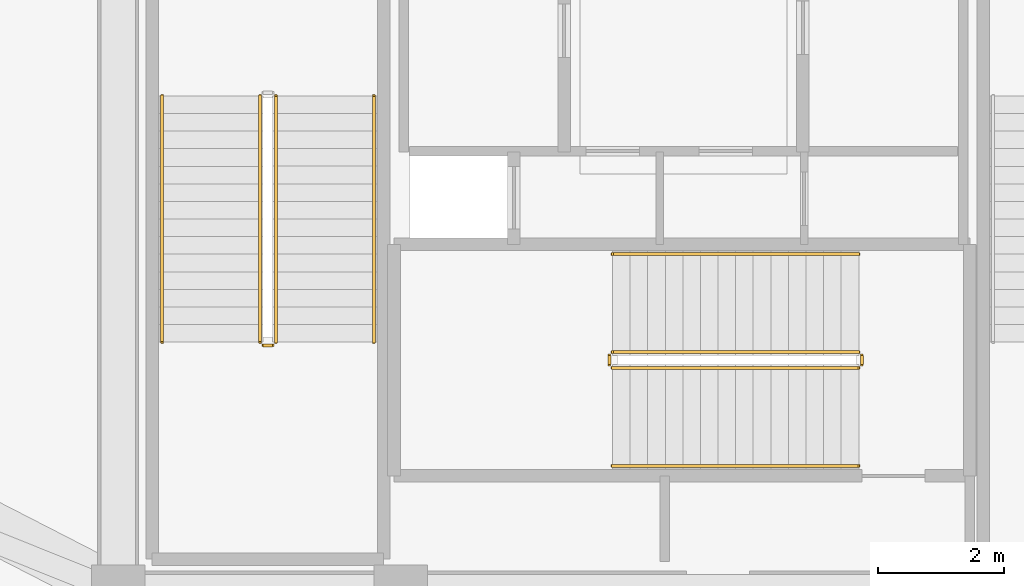
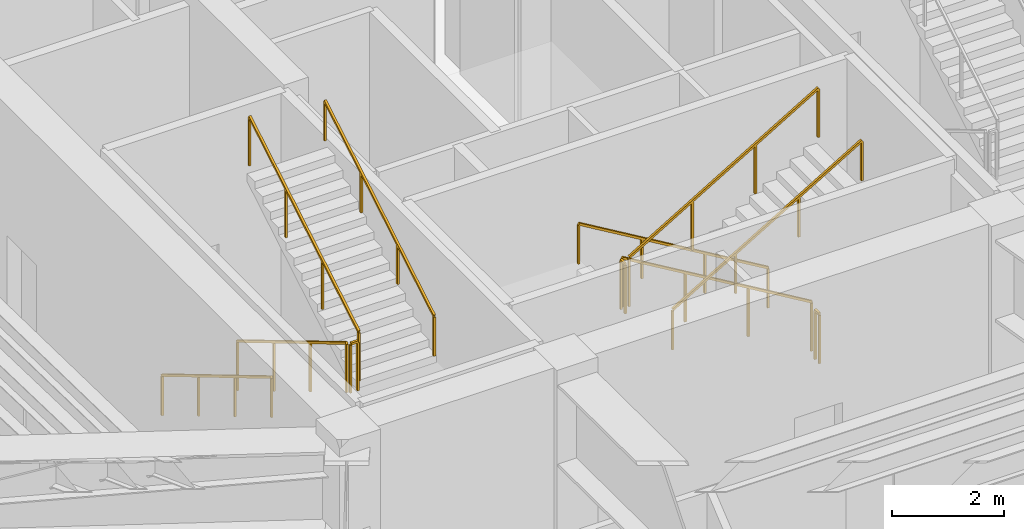
# One storey, part 20 of 24: 11 railings.
"""IFC4 building model written with IfcOpenShell, lengths in metres."""

from ifc_helpers import new_model, si_unit, direction, frame, origin, origin_2d, place, context, subcontext, project, spatial, rectangle, extrude, material, layer, layer_set, type_object, element, save


model = new_model("IFC4")

# Units and contexts
model_context = context("Model", 3, precision=1e-05, world=origin(), true_north=direction((0.0, 1.0)))
body_context = subcontext(model_context, "Body", "Model", "MODEL_VIEW")
ifc_project = project(units=[si_unit("LENGTHUNIT", "METRE"), si_unit("AREAUNIT", "SQUARE_METRE"), si_unit("VOLUMEUNIT", "CUBIC_METRE"), si_unit("PLANEANGLEUNIT", "RADIAN"), si_unit("MASSUNIT", "GRAM", prefix="KILO")], contexts=[model_context])

# Site, building, storey
site_placement = place(None, origin())
site = spatial("IfcSite", under=ifc_project, at=site_placement, CompositionType="ELEMENT")
building_placement = place(site_placement, origin())
building = spatial("IfcBuilding", under=site, at=building_placement, Name="Kilnhurst Terrace Hotel", CompositionType="ELEMENT")
storey_placement = place(building_placement, frame((0.0, 0.0, 305.39990234375)))
storey = spatial("IfcBuildingStorey", under=building, at=storey_placement, Name="L76", CompositionType="ELEMENT", Elevation=305.39990234375)

# Railings
ifc_material_1 = material(Name="Powder-Coated Steel ASTM A500 Grade B", Category="steel")
ifc_layer_1 = layer(ifc_material_1, 0.050048828125, Name="Powder-Coated Steel ASTM A500 Grade B")
ifc_layer_set_1 = layer_set([ifc_layer_1], Name="Powder-Coated Steel ASTM A500 Grade B")
railing_type_1 = type_object("IfcRailingType", Name="RLG-ST-GRD-1100", PredefinedType="GUARDRAIL", material=ifc_layer_set_1)
railing_1_placement = place(storey_placement, frame((-6.739990234375, 0.389892578125, 0.166748046875)))
element("IfcRailing", 1, at=railing_1_placement, inside=storey, type_object=railing_type_1, Name="L76 ST-1 stair guard 1", PredefinedType="GUARDRAIL", context=body_context, shape_type="SweptSolid", body=[
    extrude(rectangle(XDim=0.048095703125, YDim=0.048095703125, at=origin_2d()), frame((0.0, 0.0, 1.076171875), z_axis=(0.0, -0.859296244711, 0.511478214419), x_axis=(1.0, 0.0, 0.0)), (0.0, 0.0, 1.0), 4.561767578125),
    extrude(rectangle(XDim=0.0419921875, YDim=0.0419921875, at=origin_2d()), origin(), (0.0, 0.0, 1.0), 1.052001953125),
    extrude(rectangle(XDim=0.0419921875, YDim=0.0419921875, at=origin_2d()), frame((0.0, -1.306640625, 0.77783203125)), (0.0, 0.0, 1.0), 1.052001953125),
    extrude(rectangle(XDim=0.0419921875, YDim=0.0419921875, at=origin_2d()), frame((0.0, -2.61328125, 1.555419921875)), (0.0, 0.0, 1.0), 1.052001953125),
    extrude(rectangle(XDim=0.0419921875, YDim=0.0419921875, at=origin_2d()), frame((0.0, -3.919921875, 2.333251953125)), (0.0, 0.0, 1.0), 1.052001953125),
])
railing_2_placement = place(storey_placement, frame((-6.68994140625, -3.580078125, 2.5)))
element("IfcRailing", 2, at=railing_2_placement, inside=storey, type_object=railing_type_1, Name="L76 ST-1 stair guard 2", PredefinedType="GUARDRAIL", context=body_context, shape_type="SweptSolid", body=[
    extrude(rectangle(XDim=0.048095703125, YDim=0.048095703125, at=origin_2d()), frame((0.0, 0.0, 1.076171875), z_axis=(1.0, 0.0, 0.0), x_axis=(0.0, 1.0, 0.0)), (0.0, 0.0, 1.0), 0.14990234375),
    extrude(rectangle(XDim=0.0419921875, YDim=0.0419921875, at=origin_2d()), origin(), (0.0, 0.0, 1.0), 1.052001953125),
    extrude(rectangle(XDim=0.0419921875, YDim=0.0419921875, at=origin_2d()), frame((0.14990234375, 0.0, 0.0)), (0.0, 0.0, 1.0), 1.052001953125),
])
railing_3_placement = place(storey_placement, frame((-6.489990234375, -3.530029296875, 2.666748046875)))
element("IfcRailing", 3, at=railing_3_placement, inside=storey, type_object=railing_type_1, Name="L76 ST-1 stair guard 3", PredefinedType="GUARDRAIL", context=body_context, shape_type="SweptSolid", body=[
    extrude(rectangle(XDim=0.048095703125, YDim=0.048095703125, at=origin_2d()), frame((0.0, 0.0, 1.076171875), z_axis=(0.0, 0.859296244711, 0.511478214419), x_axis=(-1.0, 0.0, 0.0)), (0.0, 0.0, 1.0), 4.561767578125),
    extrude(rectangle(XDim=0.0419921875, YDim=0.0419921875, at=origin_2d()), origin(), (0.0, 0.0, 1.0), 1.052001953125),
    extrude(rectangle(XDim=0.0419921875, YDim=0.0419921875, at=origin_2d()), frame((0.0, 1.306640625, 0.77783203125)), (0.0, 0.0, 1.0), 1.052001953125),
    extrude(rectangle(XDim=0.0419921875, YDim=0.0419921875, at=origin_2d()), frame((0.0, 2.61328125, 1.555419921875)), (0.0, 0.0, 1.0), 1.052001953125),
    extrude(rectangle(XDim=0.0419921875, YDim=0.0419921875, at=origin_2d()), frame((0.0, 3.919921875, 2.333251953125)), (0.0, 0.0, 1.0), 1.052001953125),
])
railing_4_placement = place(storey_placement, frame((2.7900390625, -3.68994140625, 0.166748046875)))
element("IfcRailing", 4, at=railing_4_placement, inside=storey, type_object=railing_type_1, Name="L76 ST-3 stair guard 1", PredefinedType="GUARDRAIL", context=body_context, shape_type="SweptSolid", body=[
    extrude(rectangle(XDim=0.048095703125, YDim=0.048095703125, at=origin_2d()), frame((0.0, 0.0, 1.076171875), z_axis=(-0.859296244711, 0.0, 0.511478214419), x_axis=(0.0, -1.0, 0.0)), (0.0, 0.0, 1.0), 4.561767578125),
    extrude(rectangle(XDim=0.0419921875, YDim=0.0419921875, at=origin_2d()), origin(), (0.0, 0.0, 1.0), 1.052001953125),
    extrude(rectangle(XDim=0.0419921875, YDim=0.0419921875, at=origin_2d()), frame((-1.306640625, 0.0, 0.77783203125)), (0.0, 0.0, 1.0), 1.052001953125),
    extrude(rectangle(XDim=0.0419921875, YDim=0.0419921875, at=origin_2d()), frame((-2.61328125, 0.0, 1.555419921875)), (0.0, 0.0, 1.0), 1.052001953125),
    extrude(rectangle(XDim=0.0419921875, YDim=0.0419921875, at=origin_2d()), frame((-3.919921875, 0.0, 2.333251953125)), (0.0, 0.0, 1.0), 1.052001953125),
])
railing_5_placement = place(storey_placement, frame((-1.179931640625, -3.739990234375, 2.5)))
element("IfcRailing", 5, at=railing_5_placement, inside=storey, type_object=railing_type_1, Name="L76 ST-3 stair guard 2", PredefinedType="GUARDRAIL", context=body_context, shape_type="SweptSolid", body=[
    extrude(rectangle(XDim=0.048095703125, YDim=0.048095703125, at=origin_2d()), frame((0.0, 0.0, 1.076171875), z_axis=(0.0, -1.0, 0.0), x_axis=(1.0, 0.0, 0.0)), (0.0, 0.0, 1.0), 0.14990234375),
    extrude(rectangle(XDim=0.0419921875, YDim=0.0419921875, at=origin_2d()), origin(), (0.0, 0.0, 1.0), 1.052001953125),
    extrude(rectangle(XDim=0.0419921875, YDim=0.0419921875, at=origin_2d()), frame((0.0, -0.14990234375, 0.0)), (0.0, 0.0, 1.0), 1.052001953125),
])
railing_6_placement = place(storey_placement, frame((-1.1298828125, -3.93994140625, 2.666748046875)))
element("IfcRailing", 6, at=railing_6_placement, inside=storey, type_object=railing_type_1, Name="L76 ST-3 stair guard 3", PredefinedType="GUARDRAIL", context=body_context, shape_type="SweptSolid", body=[
    extrude(rectangle(XDim=0.048095703125, YDim=0.048095703125, at=origin_2d()), frame((0.0, 0.0, 1.076171875), z_axis=(0.859296244711, 0.0, 0.511478214419), x_axis=(0.0, 1.0, 0.0)), (0.0, 0.0, 1.0), 4.561767578125),
    extrude(rectangle(XDim=0.0419921875, YDim=0.0419921875, at=origin_2d()), origin(), (0.0, 0.0, 1.0), 1.052001953125),
    extrude(rectangle(XDim=0.0419921875, YDim=0.0419921875, at=origin_2d()), frame((1.306640625, 0.0, 0.77783203125)), (0.0, 0.0, 1.0), 1.052001953125),
    extrude(rectangle(XDim=0.0419921875, YDim=0.0419921875, at=origin_2d()), frame((2.61328125, 0.0, 1.555419921875)), (0.0, 0.0, 1.0), 1.052001953125),
    extrude(rectangle(XDim=0.0419921875, YDim=0.0419921875, at=origin_2d()), frame((3.919921875, 0.0, 2.333251953125)), (0.0, 0.0, 1.0), 1.052001953125),
])
railing_7_placement = place(storey_placement, frame((2.840087890625, -3.739990234375, 0.0)))
element("IfcRailing", 7, at=railing_7_placement, inside=storey, type_object=railing_type_1, Name="L76 ST-3 stair guard 4", PredefinedType="GUARDRAIL", context=body_context, shape_type="SweptSolid", body=[
    extrude(rectangle(XDim=0.048095703125, YDim=0.048095703125, at=origin_2d()), frame((0.0, 0.0, 1.076171875), z_axis=(0.0, -1.0, 0.0), x_axis=(1.0, 0.0, 0.0)), (0.0, 0.0, 1.0), 0.14990234375),
    extrude(rectangle(XDim=0.0419921875, YDim=0.0419921875, at=origin_2d()), origin(), (0.0, 0.0, 1.0), 1.052001953125),
    extrude(rectangle(XDim=0.0419921875, YDim=0.0419921875, at=origin_2d()), frame((0.0, -0.14990234375, 0.0)), (0.0, 0.0, 1.0), 1.052001953125),
])
ifc_material_2 = material(Name="Brushed Stainless Steel AISI 304", Category="steel")
ifc_layer_2 = layer(ifc_material_2, 0.048095703125, Name="Brushed Stainless Steel AISI 304")
ifc_layer_set_2 = layer_set([ifc_layer_2], Name="Brushed Stainless Steel AISI 304")
railing_type_2 = type_object("IfcRailingType", Name="RLG-ST-HRL-900", PredefinedType="HANDRAIL", material=ifc_layer_set_2)
railing_8_placement = place(storey_placement, frame((-8.300048828125, 0.389892578125, 0.166748046875)))
element("IfcRailing", 8, at=railing_8_placement, inside=storey, type_object=railing_type_2, Name="L76 ST-1 stair handrail 1", PredefinedType="HANDRAIL", context=body_context, shape_type="SweptSolid", body=[
    extrude(rectangle(XDim=0.048095703125, YDim=0.048095703125, at=origin_2d()), frame((0.0, 0.0, 0.8759765625), z_axis=(0.0, -0.859296244711, 0.511478214419), x_axis=(1.0, 0.0, 0.0)), (0.0, 0.0, 1.0), 4.561767578125),
    extrude(rectangle(XDim=0.0419921875, YDim=0.0419921875, at=origin_2d()), origin(), (0.0, 0.0, 1.0), 0.851806640625),
    extrude(rectangle(XDim=0.0419921875, YDim=0.0419921875, at=origin_2d()), frame((0.0, -1.306640625, 0.77783203125)), (0.0, 0.0, 1.0), 0.851806640625),
    extrude(rectangle(XDim=0.0419921875, YDim=0.0419921875, at=origin_2d()), frame((0.0, -2.61328125, 1.555419921875)), (0.0, 0.0, 1.0), 0.851806640625),
    extrude(rectangle(XDim=0.0419921875, YDim=0.0419921875, at=origin_2d()), frame((0.0, -3.919921875, 2.333251953125)), (0.0, 0.0, 1.0), 0.851806640625),
])
railing_9_placement = place(storey_placement, frame((-4.929931640625, -3.530029296875, 2.666748046875)))
element("IfcRailing", 9, at=railing_9_placement, inside=storey, type_object=railing_type_2, Name="L76 ST-1 stair handrail 2", PredefinedType="HANDRAIL", context=body_context, shape_type="SweptSolid", body=[
    extrude(rectangle(XDim=0.048095703125, YDim=0.048095703125, at=origin_2d()), frame((0.0, 0.0, 0.8759765625), z_axis=(0.0, 0.859296244711, 0.511478214419), x_axis=(-1.0, 0.0, 0.0)), (0.0, 0.0, 1.0), 4.561767578125),
    extrude(rectangle(XDim=0.0419921875, YDim=0.0419921875, at=origin_2d()), origin(), (0.0, 0.0, 1.0), 0.851806640625),
    extrude(rectangle(XDim=0.0419921875, YDim=0.0419921875, at=origin_2d()), frame((0.0, 1.306640625, 0.77783203125)), (0.0, 0.0, 1.0), 0.851806640625),
    extrude(rectangle(XDim=0.0419921875, YDim=0.0419921875, at=origin_2d()), frame((0.0, 2.61328125, 1.555419921875)), (0.0, 0.0, 1.0), 0.851806640625),
    extrude(rectangle(XDim=0.0419921875, YDim=0.0419921875, at=origin_2d()), frame((0.0, 3.919921875, 2.333251953125)), (0.0, 0.0, 1.0), 0.851806640625),
])
railing_10_placement = place(storey_placement, frame((2.7900390625, -2.1298828125, 0.166748046875)))
element("IfcRailing", 10, at=railing_10_placement, inside=storey, type_object=railing_type_2, Name="L76 ST-3 stair handrail 1", PredefinedType="HANDRAIL", context=body_context, shape_type="SweptSolid", body=[
    extrude(rectangle(XDim=0.048095703125, YDim=0.048095703125, at=origin_2d()), frame((0.0, 0.0, 0.8759765625), z_axis=(-0.859296244711, 0.0, 0.511478214419), x_axis=(0.0, -1.0, 0.0)), (0.0, 0.0, 1.0), 4.561767578125),
    extrude(rectangle(XDim=0.0419921875, YDim=0.0419921875, at=origin_2d()), origin(), (0.0, 0.0, 1.0), 0.851806640625),
    extrude(rectangle(XDim=0.0419921875, YDim=0.0419921875, at=origin_2d()), frame((-1.306640625, 0.0, 0.77783203125)), (0.0, 0.0, 1.0), 0.851806640625),
    extrude(rectangle(XDim=0.0419921875, YDim=0.0419921875, at=origin_2d()), frame((-2.61328125, 0.0, 1.555419921875)), (0.0, 0.0, 1.0), 0.851806640625),
    extrude(rectangle(XDim=0.0419921875, YDim=0.0419921875, at=origin_2d()), frame((-3.919921875, 0.0, 2.333251953125)), (0.0, 0.0, 1.0), 0.851806640625),
])
railing_11_placement = place(storey_placement, frame((-1.1298828125, -5.5, 2.666748046875)))
element("IfcRailing", 11, at=railing_11_placement, inside=storey, type_object=railing_type_2, Name="L76 ST-3 stair handrail 2", PredefinedType="HANDRAIL", context=body_context, shape_type="SweptSolid", body=[
    extrude(rectangle(XDim=0.048095703125, YDim=0.048095703125, at=origin_2d()), frame((0.0, 0.0, 0.8759765625), z_axis=(0.859296244711, 0.0, 0.511478214419), x_axis=(0.0, 1.0, 0.0)), (0.0, 0.0, 1.0), 4.561767578125),
    extrude(rectangle(XDim=0.0419921875, YDim=0.0419921875, at=origin_2d()), origin(), (0.0, 0.0, 1.0), 0.851806640625),
    extrude(rectangle(XDim=0.0419921875, YDim=0.0419921875, at=origin_2d()), frame((1.306640625, 0.0, 0.77783203125)), (0.0, 0.0, 1.0), 0.851806640625),
    extrude(rectangle(XDim=0.0419921875, YDim=0.0419921875, at=origin_2d()), frame((2.61328125, 0.0, 1.555419921875)), (0.0, 0.0, 1.0), 0.851806640625),
    extrude(rectangle(XDim=0.0419921875, YDim=0.0419921875, at=origin_2d()), frame((3.919921875, 0.0, 2.333251953125)), (0.0, 0.0, 1.0), 0.851806640625),
])

save(model, "model.ifc")
